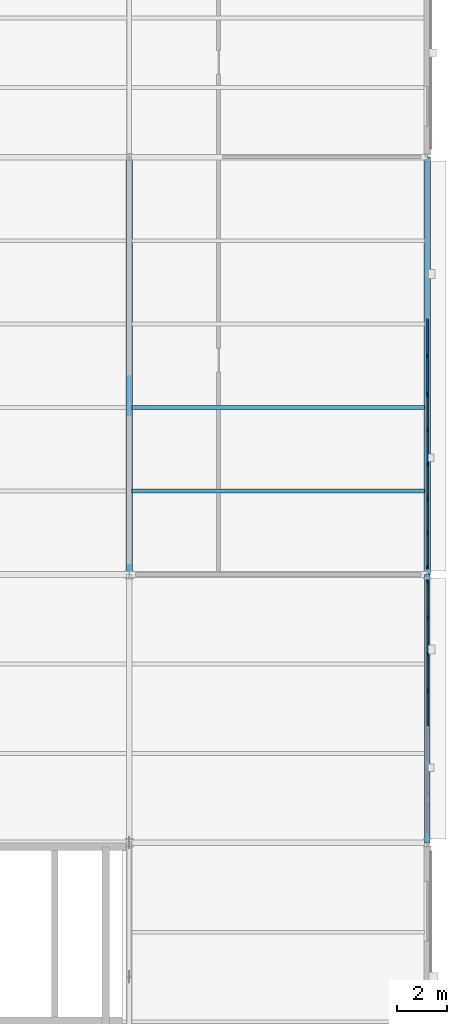
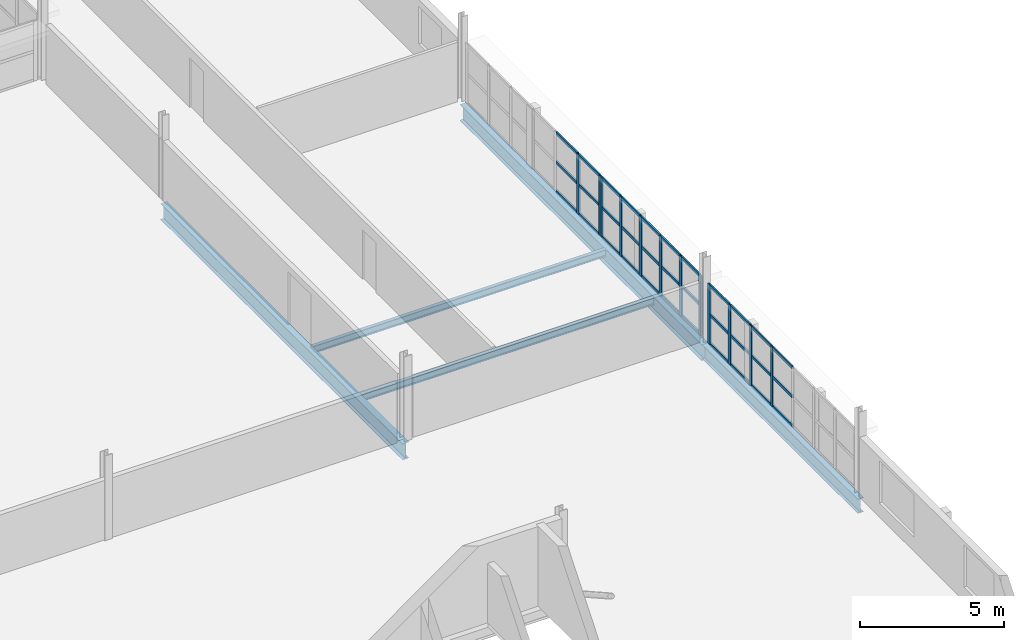
# One storey, part 49 of 101: 45 members, 5 beams, 3 elements without a shape of their own.
"""IFC4 building model written with IfcOpenShell, lengths in metres."""

import ifcopenshell
import ifcopenshell.guid

model = None  # the IFC model being written
_history = None  # IfcOwnerHistory: only IFC2X3 demands one
_inside = {}  # id of a spatial element -> (the spatial element, [elements in it])
_under = {}  # id of a project, library or spatial element -> (it, [spatial elements below it])
_declared = {}  # id of a project -> (the project, [libraries it declares])
_typed = {}  # id of a type object -> (the type object, [elements of that type])
_made_of = {}  # id of a material, layer set ... -> (it, [elements and type objects made of it])


def new_model(schema):
    """Start an empty IFC model of exactly this schema.

    Asked for "IFC4X3", IfcOpenShell would pick the latest addendum, in which some entities
    have other attributes; the version numbers below select the first issue.
    IFC2X3 requires an IfcOwnerHistory on every rooted entity: one is made here for all.
    """
    global model, _history
    if schema == "IFC4X3":
        model = ifcopenshell.file(schema_version=(4, 3, 0, 0))
    else:
        model = ifcopenshell.file(schema=schema)
    _inside.clear()
    _under.clear()
    _declared.clear()
    _typed.clear()
    _made_of.clear()
    _history = None
    if model.schema == "IFC2X3":
        org = make("IfcOrganization", Name="unknown")
        user = make(
            "IfcPersonAndOrganization",
            ThePerson=make("IfcPerson", FamilyName="unknown"),
            TheOrganization=org,
        )
        app = make(
            "IfcApplication",
            ApplicationDeveloper=org,
            Version="unknown",
            ApplicationFullName="unknown",
            ApplicationIdentifier="unknown",
        )
        _history = make(
            "IfcOwnerHistory",
            OwningUser=user,
            OwningApplication=app,
            ChangeAction="ADDED",
            CreationDate=0,
        )
    return model


def make(cls, **values):
    """One entity of the class cls with the attributes given. An attribute that is None is left unset."""
    return model.create_entity(
        cls, **{name: value for name, value in values.items() if value is not None}
    )


def rooted(cls, **values):
    """An entity with a GlobalId (a new one), such as an element, a storey or a relation."""
    return make(cls, GlobalId=ifcopenshell.guid.new(), OwnerHistory=_history, **values)


def si_unit(unit_type, name, prefix=None):
    """IfcSIUnit, for example si_unit("LENGTHUNIT", "METRE", prefix="MILLI")."""
    return make("IfcSIUnit", UnitType=unit_type, Prefix=prefix, Name=name)


def assignment(units):
    """IfcUnitAssignment: the units of a project."""
    return None if units is None else make("IfcUnitAssignment", Units=units)


def point(xyz):
    """IfcCartesianPoint."""
    return None if xyz is None else make("IfcCartesianPoint", Coordinates=xyz)


def direction(xyz):
    """IfcDirection."""
    return None if xyz is None else make("IfcDirection", DirectionRatios=xyz)


def frame(location, z_axis=None, x_axis=None):
    """IfcAxis2Placement3D, a coordinate frame: its origin and axes. An axis left out is left unset."""
    return make(
        "IfcAxis2Placement3D",
        Location=point(location),
        Axis=direction(z_axis),
        RefDirection=direction(x_axis),
    )


def frame_2d(location, x_axis=None):
    """IfcAxis2Placement2D, a coordinate frame in the plane: its origin and x axis."""
    return make(
        "IfcAxis2Placement2D", Location=point(location), RefDirection=direction(x_axis)
    )


def origin():
    """The frame at (0, 0, 0) with its axes left unset."""
    return frame((0.0, 0.0, 0.0))


def origin_2d():
    """The frame at (0, 0) in the plane with its x axis left unset."""
    return frame_2d((0.0, 0.0))


def place(relative_to, where):
    """IfcLocalPlacement: puts the frame where relative to a parent placement (None: the world)."""
    return make(
        "IfcLocalPlacement", PlacementRelTo=relative_to, RelativePlacement=where
    )


def context(
    kind, dimensions, precision=None, world=None, true_north=None, identifier=None
):
    """IfcGeometricRepresentationContext, for example the 3D "Model" context."""
    return make(
        "IfcGeometricRepresentationContext",
        ContextIdentifier=identifier,
        ContextType=kind,
        CoordinateSpaceDimension=dimensions,
        Precision=precision,
        WorldCoordinateSystem=world,
        TrueNorth=true_north,
    )


def subcontext(parent, identifier, kind, view, scale=None):
    """IfcGeometricRepresentationSubContext, for example "Body" below "Model"."""
    return make(
        "IfcGeometricRepresentationSubContext",
        ContextIdentifier=identifier,
        ContextType=kind,
        ParentContext=parent,
        TargetScale=scale,
        TargetView=view,
    )


def project(units=None, contexts=None):
    """IfcProject with its units and contexts."""
    return rooted(
        "IfcProject",
        Name="project",
        RepresentationContexts=contexts,
        UnitsInContext=assignment(units),
    )


def spatial(cls, under=None, at=None, **own):
    """A site, building, storey or space (cls), placed at a placement, below another one or the project."""
    s = rooted(cls, ObjectPlacement=at, **own)
    if under is not None:
        _under.setdefault(under.id(), (under, []))[1].append(s)
    return s


def profile(cls, at=None, kind="AREA", **sizes):
    """A parametric profile (cls). Its sizes go by their IFC names, for example OverallWidth=200.0."""
    return make(cls, ProfileType=kind, Position=at, **sizes)


def rectangle(**sizes):
    """IfcRectangleProfileDef."""
    return profile("IfcRectangleProfileDef", **sizes)


def i_section(**sizes):
    """IfcIShapeProfileDef."""
    return profile("IfcIShapeProfileDef", **sizes)


def extrude(swept, where, along, depth):
    """IfcExtrudedAreaSolid: the profile swept, set in the frame where, extruded along a direction by depth."""
    return make(
        "IfcExtrudedAreaSolid",
        SweptArea=swept,
        Position=where,
        ExtrudedDirection=direction(along),
        Depth=depth,
    )


def shape(context_of_items, identifier, shape_type, items):
    """IfcShapeRepresentation: the items that make up one representation, for example the "Body"."""
    return make(
        "IfcShapeRepresentation",
        ContextOfItems=context_of_items,
        RepresentationIdentifier=identifier,
        RepresentationType=shape_type,
        Items=items,
    )


def material(Name=None, Category=None):
    """IfcMaterial."""
    return make("IfcMaterial", Name=Name, Category=Category)


def layer(
    of_material, thickness, ventilated=None, Name=None, Category=None, Priority=None
):
    """IfcMaterialLayer: one layer of a wall or slab, of a material (None: an air gap)."""
    return make(
        "IfcMaterialLayer",
        Material=of_material,
        LayerThickness=thickness,
        IsVentilated=ventilated,
        Name=Name,
        Category=Category,
        Priority=Priority,
    )


def layer_set(layers, Name=None):
    """IfcMaterialLayerSet."""
    return make("IfcMaterialLayerSet", MaterialLayers=layers, LayerSetName=Name)


def material_profile(
    of_material, cross_section, Name=None, Category=None, Priority=None
):
    """IfcMaterialProfile: a cross section and its material."""
    return make(
        "IfcMaterialProfile",
        Name=Name,
        Material=of_material,
        Profile=cross_section,
        Priority=Priority,
        Category=Category,
    )


def profile_set(profiles, Name=None, composite=None):
    """IfcMaterialProfileSet."""
    return make(
        "IfcMaterialProfileSet",
        Name=Name,
        MaterialProfiles=profiles,
        CompositeProfile=composite,
    )


def made_of(thing, what):
    """Note that an element or type object is made of a material, layer set ...; save() writes the relation."""
    if what is not None:
        _made_of.setdefault(what.id(), (what, []))[1].append(thing)
    return thing


def type_object(cls, material=None, **own):
    """A type object (cls), such as IfcWallType, which elements share."""
    return made_of(rooted(cls, **own), material)


def element(
    cls,
    number,
    at=None,
    inside=None,
    cuts=None,
    type_object=None,
    material=None,
    context=None,
    identifier="Body",
    shape_type=None,
    held_by="IfcProductDefinitionShape",
    body=None,
    shapes=None,
    **own,
):
    """One element of the class cls, such as IfcWall. Its Tag is "e" and its number.

    at: its placement. inside: the storey or other place that contains it. cuts: it is an
    opening in that element (IfcRelVoidsElement). A single representation is given by context,
    identifier, shape_type and body (its items); several are given by shapes. held_by: the class
    of the entity that holds the representations. save() writes the other relations.
    """
    e = rooted(cls, Tag="e%d" % number, ObjectPlacement=at, **own)
    if body is not None:
        shapes = [shape(context, identifier, shape_type, body)]
    if shapes is not None:
        e.Representation = make(held_by, Representations=shapes)
    if inside is not None:
        _inside.setdefault(inside.id(), (inside, []))[1].append(e)
    if cuts is not None:
        rooted(
            "IfcRelVoidsElement", RelatingBuildingElement=cuts, RelatedOpeningElement=e
        )
    if type_object is not None:
        _typed.setdefault(type_object.id(), (type_object, []))[1].append(e)
    return made_of(e, material)


def aggregate(whole, parts):
    """IfcRelAggregates: a whole, such as a stair, and the parts it consists of."""
    return rooted("IfcRelAggregates", RelatingObject=whole, RelatedObjects=parts)


def save(model, path):
    """Write the relations noted so far, then the file.

    IfcRelAggregates (storeys below a building ...), IfcRelContainedInSpatialStructure (elements
    in a storey), IfcRelDefinesByType, IfcRelAssociatesMaterial and IfcRelDeclares: one each for
    every whole, place, type object, material and project.
    """
    for whole, parts in _under.values():
        aggregate(whole, parts)
    for where, things in _inside.values():
        rooted(
            "IfcRelContainedInSpatialStructure",
            RelatedElements=things,
            RelatingStructure=where,
        )
    for kind, things in _typed.values():
        rooted("IfcRelDefinesByType", RelatedObjects=things, RelatingType=kind)
    for what, things in _made_of.values():
        rooted("IfcRelAssociatesMaterial", RelatedObjects=things, RelatingMaterial=what)
    for by, libraries in _declared.values():
        rooted("IfcRelDeclares", RelatingContext=by, RelatedDefinitions=libraries)
    model.write(path)


model = new_model("IFC4")

# Units and contexts
model_context = context("Model", 3, precision=1e-05, world=origin(), true_north=direction((0.0, 1.0)))
body_context = subcontext(model_context, "Body", "Model", "MODEL_VIEW")
ifc_project = project(units=[si_unit("LENGTHUNIT", "METRE"), si_unit("AREAUNIT", "SQUARE_METRE"), si_unit("VOLUMEUNIT", "CUBIC_METRE"), si_unit("PLANEANGLEUNIT", "RADIAN"), si_unit("MASSUNIT", "GRAM", prefix="KILO"), si_unit("THERMODYNAMICTEMPERATUREUNIT", "KELVIN"), si_unit("POWERUNIT", "WATT")], contexts=[model_context])

# Site, building, storey
site_placement = place(None, origin())
site = spatial("IfcSite", under=ifc_project, at=site_placement, CompositionType="ELEMENT")
building_placement = place(site_placement, origin())
building = spatial("IfcBuilding", under=site, at=building_placement, Name="Tembeka Court Mobility Hub", CompositionType="ELEMENT")
storey_placement = place(building_placement, frame((0.0, 0.0, 5.39990234375)))
storey = spatial("IfcBuildingStorey", under=building, at=storey_placement, Name="L01", CompositionType="ELEMENT", Elevation=5.39990234375)

# Beams
ifc_material_1 = material(Name="Steel S355", Category="steel")
ifc_material_profile_1 = material_profile(ifc_material_1, i_section(OverallWidth=0.25390625, OverallDepth=0.68408203125, WebThickness=0.012451171875, FlangeThickness=0.01904296875, FilletRadius=0.01513671875, at=origin_2d()), Name="UKB 686x254x140")
ifc_profile_set_1 = profile_set([ifc_material_profile_1], Name="Steel S355")
beam_type_1 = type_object("IfcBeamType", Name="BM-G01", PredefinedType="USERDEFINED", material=ifc_profile_set_1)
for number, where, z_axis, x_axis, name in (
    (1, (164.39990234375, 21.60009765625, -0.531982421875), (0.0, 1.0, 0.0), (-1.0, 0.0, 0.0), "Beam G01 (BM-L01-Y0901)"),
    (2, (176.39990234375, 21.60009765625, -0.531982421875), (0.0, 1.0, 0.0), (-1.0, 0.0, 0.0), "Beam G01 (BM-L01-Y0907)"),
):
    element("IfcBeam", number, at=place(storey_placement, frame(where, z_axis=z_axis, x_axis=x_axis)), inside=storey, type_object=beam_type_1, Name=name, ObjectType="GIRDER", PredefinedType="USERDEFINED", context=body_context, shape_type="SweptSolid", body=[
        extrude(i_section(OverallWidth=0.25390625, OverallDepth=0.68408203125, WebThickness=0.012451171875, FlangeThickness=0.01904296875, FilletRadius=0.01513671875, at=origin_2d()), origin(), (0.0, 0.0, 1.0), 16.7998046875),
    ])
ifc_material_profile_2 = material_profile(ifc_material_1, i_section(OverallWidth=0.22900390625, OverallDepth=0.612060546875, WebThickness=0.011962890625, FlangeThickness=0.01953125, FilletRadius=0.0126953125, at=origin_2d()), Name="UKB 610x229x125")
ifc_profile_set_2 = profile_set([ifc_material_profile_2], Name="Steel S355")
beam_type_2 = type_object("IfcBeamType", Name="BM-G02", PredefinedType="USERDEFINED", material=ifc_profile_set_2)
beam_placement = place(storey_placement, frame((176.39990234375, 10.800048828125, -0.495849609375), z_axis=(0.0, 1.0, 0.0), x_axis=(-1.0, 0.0, 0.0)))
element("IfcBeam", 3, at=beam_placement, inside=storey, type_object=beam_type_2, Name="Beam G02 (BM-L01-Y0906)", ObjectType="GIRDER", PredefinedType="USERDEFINED", context=body_context, shape_type="SweptSolid", body=[
    extrude(i_section(OverallWidth=0.22900390625, OverallDepth=0.612060546875, WebThickness=0.011962890625, FlangeThickness=0.01953125, FilletRadius=0.0126953125, at=origin_2d()), origin(), (0.0, 0.0, 1.0), 10.800048828125),
])
ifc_material_profile_3 = material_profile(ifc_material_1, i_section(OverallWidth=0.14990234375, OverallDepth=0.300048828125, WebThickness=0.007080078125, FlangeThickness=0.0107421875, FilletRadius=0.014892578125, at=origin_2d()), Name="IPE 300")
ifc_profile_set_3 = profile_set([ifc_material_profile_3], Name="Steel S355")
beam_type_3 = type_object("IfcBeamType", Name="BM-J04", PredefinedType="JOIST", material=ifc_profile_set_3)
for number, where, z_axis, x_axis, name in (
    (4, (164.52197265625, 24.9599609375, -0.33984375), (1.0, 0.0, 0.0), (0.0, 1.0, 0.0), "Beam J04 (JST-L01-1160)"),
    (5, (164.52197265625, 28.320068359375, -0.33984375), (1.0, 0.0, 0.0), (0.0, 1.0, 0.0), "Beam J04 (JST-L01-1161)"),
):
    element("IfcBeam", number, at=place(storey_placement, frame(where, z_axis=z_axis, x_axis=x_axis)), inside=storey, type_object=beam_type_3, Name=name, PredefinedType="JOIST", context=body_context, shape_type="SweptSolid", body=[
        extrude(i_section(OverallWidth=0.14990234375, OverallDepth=0.300048828125, WebThickness=0.007080078125, FlangeThickness=0.0107421875, FilletRadius=0.014892578125, at=origin_2d()), origin(), (0.0, 0.0, 1.0), 11.756103515625),
    ])

# Curtain wall, members
ifc_material_2 = material(Name="Anodised aluminium 6063-T6", Category="aluminium")
ifc_layer_1 = layer(ifc_material_2, 0.159912109375)
ifc_layer_set_1 = layer_set([ifc_layer_1], Name="Anodised aluminium 6063-T6")
curtain_wall_type_1 = type_object("IfcCurtainWallType", Name="CW-SYS42", PredefinedType="USERDEFINED", material=ifc_layer_set_1)
curtain_wall_1_placement = place(storey_placement, origin())
curtain_wall_1 = element("IfcCurtainWall", 6, at=curtain_wall_1_placement, inside=storey, type_object=curtain_wall_type_1, Name="Unitised curtain wall CW42 (CW-L01-110)", ObjectType="UNITISED GLAZING", PredefinedType="USERDEFINED")
ifc_material_profile_4 = material_profile(ifc_material_2, rectangle(XDim=0.06494140625, YDim=0.159912109375, at=origin_2d()), Name="ALU-MUL 65x160")
ifc_profile_set_4 = profile_set([ifc_material_profile_4], Name="Anodised aluminium 6063-T6")
member_type_1 = type_object("IfcMemberType", Name="CW-MUL01", PredefinedType="MULLION", material=ifc_profile_set_4)
member_1_placement = place(storey_placement, frame((176.39990234375, 16.931396484375, 0.0), z_axis=(0.0, 0.0, 1.0), x_axis=(-1.0, 0.0, 0.0)))
member_1 = element("IfcMember", 7, at=member_1_placement, type_object=member_type_1, Name="CW42 mullion 5", PredefinedType="MULLION", context=body_context, shape_type="SweptSolid", body=[
    extrude(rectangle(XDim=0.06494140625, YDim=0.159912109375, at=origin_2d()), origin(), (0.0, 0.0, 1.0), 2.53515625),
])
member_2_placement = place(storey_placement, frame((176.39990234375, 18.394287109375, 0.0), z_axis=(0.0, 0.0, 1.0), x_axis=(-1.0, 0.0, 0.0)))
member_2 = element("IfcMember", 8, at=member_2_placement, type_object=member_type_1, Name="CW42 mullion 6", PredefinedType="MULLION", context=body_context, shape_type="SweptSolid", body=[
    extrude(rectangle(XDim=0.06494140625, YDim=0.159912109375, at=origin_2d()), origin(), (0.0, 0.0, 1.0), 2.53515625),
])
member_3_placement = place(storey_placement, frame((176.39990234375, 19.857177734375, 0.0), z_axis=(0.0, 0.0, 1.0), x_axis=(-1.0, 0.0, 0.0)))
member_3 = element("IfcMember", 9, at=member_3_placement, type_object=member_type_1, Name="CW42 mullion 7", PredefinedType="MULLION", context=body_context, shape_type="SweptSolid", body=[
    extrude(rectangle(XDim=0.06494140625, YDim=0.159912109375, at=origin_2d()), origin(), (0.0, 0.0, 1.0), 2.53515625),
])
member_4_placement = place(storey_placement, frame((176.39990234375, 21.28759765625, 0.0), z_axis=(0.0, 0.0, 1.0), x_axis=(-1.0, 0.0, 0.0)))
member_4 = element("IfcMember", 10, at=member_4_placement, type_object=member_type_1, Name="CW42 mullion 8", PredefinedType="MULLION", context=body_context, shape_type="SweptSolid", body=[
    extrude(rectangle(XDim=0.06494140625, YDim=0.159912109375, at=origin_2d()), origin(), (0.0, 0.0, 1.0), 2.53515625),
])

ifc_layer_2 = layer(ifc_material_2, 0.159912109375)
ifc_layer_set_2 = layer_set([ifc_layer_2], Name="Anodised aluminium 6063-T6")
curtain_wall_type_2 = type_object("IfcCurtainWallType", Name="CW-SYS43", PredefinedType="USERDEFINED", material=ifc_layer_set_2)
curtain_wall_2_placement = place(storey_placement, origin())
curtain_wall_2 = element("IfcCurtainWall", 11, at=curtain_wall_2_placement, inside=storey, type_object=curtain_wall_type_2, Name="Unitised curtain wall CW43 (CW-L01-111)", ObjectType="UNITISED GLAZING", PredefinedType="USERDEFINED")
member_5_placement = place(storey_placement, frame((176.39990234375, 21.91259765625, 0.0), z_axis=(0.0, 0.0, 1.0), x_axis=(-1.0, 0.0, 0.0)))
member_5 = element("IfcMember", 12, at=member_5_placement, type_object=member_type_1, Name="CW43 mullion 1", PredefinedType="MULLION", context=body_context, shape_type="SweptSolid", body=[
    extrude(rectangle(XDim=0.06494140625, YDim=0.159912109375, at=origin_2d()), origin(), (0.0, 0.0, 1.0), 2.53515625),
])
member_6_placement = place(storey_placement, frame((176.39990234375, 23.264892578125, 0.0), z_axis=(0.0, 0.0, 1.0), x_axis=(-1.0, 0.0, 0.0)))
member_6 = element("IfcMember", 13, at=member_6_placement, type_object=member_type_1, Name="CW43 mullion 2", PredefinedType="MULLION", context=body_context, shape_type="SweptSolid", body=[
    extrude(rectangle(XDim=0.06494140625, YDim=0.159912109375, at=origin_2d()), origin(), (0.0, 0.0, 1.0), 2.53515625),
])
member_7_placement = place(storey_placement, frame((176.39990234375, 24.649658203125, 0.0), z_axis=(0.0, 0.0, 1.0), x_axis=(-1.0, 0.0, 0.0)))
member_7 = element("IfcMember", 14, at=member_7_placement, type_object=member_type_1, Name="CW43 mullion 3", PredefinedType="MULLION", context=body_context, shape_type="SweptSolid", body=[
    extrude(rectangle(XDim=0.06494140625, YDim=0.159912109375, at=origin_2d()), origin(), (0.0, 0.0, 1.0), 2.53515625),
])
member_8_placement = place(storey_placement, frame((176.39990234375, 26.034423828125, 0.0), z_axis=(0.0, 0.0, 1.0), x_axis=(-1.0, 0.0, 0.0)))
member_8 = element("IfcMember", 15, at=member_8_placement, type_object=member_type_1, Name="CW43 mullion 4", PredefinedType="MULLION", context=body_context, shape_type="SweptSolid", body=[
    extrude(rectangle(XDim=0.06494140625, YDim=0.159912109375, at=origin_2d()), origin(), (0.0, 0.0, 1.0), 2.53515625),
])
member_9_placement = place(storey_placement, frame((176.39990234375, 27.419189453125, 0.0), z_axis=(0.0, 0.0, 1.0), x_axis=(-1.0, 0.0, 0.0)))
member_9 = element("IfcMember", 16, at=member_9_placement, type_object=member_type_1, Name="CW43 mullion 5", PredefinedType="MULLION", context=body_context, shape_type="SweptSolid", body=[
    extrude(rectangle(XDim=0.06494140625, YDim=0.159912109375, at=origin_2d()), origin(), (0.0, 0.0, 1.0), 2.53515625),
])
member_10_placement = place(storey_placement, frame((176.39990234375, 28.771484375, 0.0), z_axis=(0.0, 0.0, 1.0), x_axis=(-1.0, 0.0, 0.0)))
member_10 = element("IfcMember", 17, at=member_10_placement, type_object=member_type_1, Name="CW43 mullion 6", PredefinedType="MULLION", context=body_context, shape_type="SweptSolid", body=[
    extrude(rectangle(XDim=0.06494140625, YDim=0.159912109375, at=origin_2d()), origin(), (0.0, 0.0, 1.0), 2.53515625),
])

ifc_layer_3 = layer(ifc_material_2, 0.159912109375)
ifc_layer_set_3 = layer_set([ifc_layer_3], Name="Anodised aluminium 6063-T6")
curtain_wall_type_3 = type_object("IfcCurtainWallType", Name="CW-SYS44", PredefinedType="USERDEFINED", material=ifc_layer_set_3)
curtain_wall_3_placement = place(storey_placement, origin())
curtain_wall_3 = element("IfcCurtainWall", 18, at=curtain_wall_3_placement, inside=storey, type_object=curtain_wall_type_3, Name="Unitised curtain wall CW44 (CW-L01-112)", ObjectType="UNITISED GLAZING", PredefinedType="USERDEFINED")
member_11_placement = place(storey_placement, frame((176.39990234375, 28.87646484375, 0.0), z_axis=(0.0, 0.0, 1.0), x_axis=(-1.0, 0.0, 0.0)))
member_11 = element("IfcMember", 19, at=member_11_placement, type_object=member_type_1, Name="CW44 mullion 1", PredefinedType="MULLION", context=body_context, shape_type="SweptSolid", body=[
    extrude(rectangle(XDim=0.06494140625, YDim=0.159912109375, at=origin_2d()), origin(), (0.0, 0.0, 1.0), 2.53515625),
])
member_12_placement = place(storey_placement, frame((176.39990234375, 30.389892578125, 0.0), z_axis=(0.0, 0.0, 1.0), x_axis=(-1.0, 0.0, 0.0)))
member_12 = element("IfcMember", 20, at=member_12_placement, type_object=member_type_1, Name="CW44 mullion 2", PredefinedType="MULLION", context=body_context, shape_type="SweptSolid", body=[
    extrude(rectangle(XDim=0.06494140625, YDim=0.159912109375, at=origin_2d()), origin(), (0.0, 0.0, 1.0), 2.53515625),
])

# Member
ifc_material_profile_5 = material_profile(ifc_material_2, rectangle(XDim=0.06494140625, YDim=0.1201171875, at=origin_2d()), Name="ALU-TRN 65x120")
ifc_profile_set_5 = profile_set([ifc_material_profile_5], Name="Anodised aluminium 6063-T6")
member_type_2 = type_object("IfcMemberType", Name="CW-TRN01", PredefinedType="USERDEFINED", material=ifc_profile_set_5)
member_13_placement = place(storey_placement, frame((176.39990234375, 15.5009765625, 0.03271484375), z_axis=(0.0, 1.0, 0.0), x_axis=(-1.0, 0.0, 0.0)))
member_13 = element("IfcMember", 21, at=member_13_placement, type_object=member_type_2, Name="CW42 transom 4.1", ObjectType="TRANSOM", PredefinedType="USERDEFINED", context=body_context, shape_type="SweptSolid", body=[
    extrude(rectangle(XDim=0.06494140625, YDim=0.1201171875, at=origin_2d()), origin(), (0.0, 0.0, 1.0), 1.39794921875),
])

member_14_placement = place(storey_placement, frame((176.39990234375, 15.5009765625, 1.267578125), z_axis=(0.0, 1.0, 0.0), x_axis=(-1.0, 0.0, 0.0)))
member_14 = element("IfcMember", 22, at=member_14_placement, type_object=member_type_2, Name="CW42 transom 4.2", ObjectType="TRANSOM", PredefinedType="USERDEFINED", context=body_context, shape_type="SweptSolid", body=[
    extrude(rectangle(XDim=0.06494140625, YDim=0.1201171875, at=origin_2d()), origin(), (0.0, 0.0, 1.0), 1.39794921875),
])

member_15_placement = place(storey_placement, frame((176.39990234375, 15.5009765625, 2.502685546875), z_axis=(0.0, 1.0, 0.0), x_axis=(-1.0, 0.0, 0.0)))
member_15 = element("IfcMember", 23, at=member_15_placement, type_object=member_type_2, Name="CW42 transom 4.3", ObjectType="TRANSOM", PredefinedType="USERDEFINED", context=body_context, shape_type="SweptSolid", body=[
    extrude(rectangle(XDim=0.06494140625, YDim=0.1201171875, at=origin_2d()), origin(), (0.0, 0.0, 1.0), 1.39794921875),
])

member_16_placement = place(storey_placement, frame((176.39990234375, 16.9638671875, 0.03271484375), z_axis=(0.0, 1.0, 0.0), x_axis=(-1.0, 0.0, 0.0)))
member_16 = element("IfcMember", 24, at=member_16_placement, type_object=member_type_2, Name="CW42 transom 5.1", ObjectType="TRANSOM", PredefinedType="USERDEFINED", context=body_context, shape_type="SweptSolid", body=[
    extrude(rectangle(XDim=0.06494140625, YDim=0.1201171875, at=origin_2d()), origin(), (0.0, 0.0, 1.0), 1.39794921875),
])

member_17_placement = place(storey_placement, frame((176.39990234375, 16.9638671875, 1.267578125), z_axis=(0.0, 1.0, 0.0), x_axis=(-1.0, 0.0, 0.0)))
member_17 = element("IfcMember", 25, at=member_17_placement, type_object=member_type_2, Name="CW42 transom 5.2", ObjectType="TRANSOM", PredefinedType="USERDEFINED", context=body_context, shape_type="SweptSolid", body=[
    extrude(rectangle(XDim=0.06494140625, YDim=0.1201171875, at=origin_2d()), origin(), (0.0, 0.0, 1.0), 1.39794921875),
])

member_18_placement = place(storey_placement, frame((176.39990234375, 16.9638671875, 2.502685546875), z_axis=(0.0, 1.0, 0.0), x_axis=(-1.0, 0.0, 0.0)))
member_18 = element("IfcMember", 26, at=member_18_placement, type_object=member_type_2, Name="CW42 transom 5.3", ObjectType="TRANSOM", PredefinedType="USERDEFINED", context=body_context, shape_type="SweptSolid", body=[
    extrude(rectangle(XDim=0.06494140625, YDim=0.1201171875, at=origin_2d()), origin(), (0.0, 0.0, 1.0), 1.39794921875),
])

member_19_placement = place(storey_placement, frame((176.39990234375, 18.4267578125, 0.03271484375), z_axis=(0.0, 1.0, 0.0), x_axis=(-1.0, 0.0, 0.0)))
member_19 = element("IfcMember", 27, at=member_19_placement, type_object=member_type_2, Name="CW42 transom 6.1", ObjectType="TRANSOM", PredefinedType="USERDEFINED", context=body_context, shape_type="SweptSolid", body=[
    extrude(rectangle(XDim=0.06494140625, YDim=0.1201171875, at=origin_2d()), origin(), (0.0, 0.0, 1.0), 1.39794921875),
])

member_20_placement = place(storey_placement, frame((176.39990234375, 18.4267578125, 1.267578125), z_axis=(0.0, 1.0, 0.0), x_axis=(-1.0, 0.0, 0.0)))
member_20 = element("IfcMember", 28, at=member_20_placement, type_object=member_type_2, Name="CW42 transom 6.2", ObjectType="TRANSOM", PredefinedType="USERDEFINED", context=body_context, shape_type="SweptSolid", body=[
    extrude(rectangle(XDim=0.06494140625, YDim=0.1201171875, at=origin_2d()), origin(), (0.0, 0.0, 1.0), 1.39794921875),
])

member_21_placement = place(storey_placement, frame((176.39990234375, 18.4267578125, 2.502685546875), z_axis=(0.0, 1.0, 0.0), x_axis=(-1.0, 0.0, 0.0)))
member_21 = element("IfcMember", 29, at=member_21_placement, type_object=member_type_2, Name="CW42 transom 6.3", ObjectType="TRANSOM", PredefinedType="USERDEFINED", context=body_context, shape_type="SweptSolid", body=[
    extrude(rectangle(XDim=0.06494140625, YDim=0.1201171875, at=origin_2d()), origin(), (0.0, 0.0, 1.0), 1.39794921875),
])

member_22_placement = place(storey_placement, frame((176.39990234375, 19.8896484375, 0.03271484375), z_axis=(0.0, 1.0, 0.0), x_axis=(-1.0, 0.0, 0.0)))
member_22 = element("IfcMember", 30, at=member_22_placement, type_object=member_type_2, Name="CW42 transom 7.1", ObjectType="TRANSOM", PredefinedType="USERDEFINED", context=body_context, shape_type="SweptSolid", body=[
    extrude(rectangle(XDim=0.06494140625, YDim=0.1201171875, at=origin_2d()), origin(), (0.0, 0.0, 1.0), 1.365234375),
])

member_23_placement = place(storey_placement, frame((176.39990234375, 19.8896484375, 1.267578125), z_axis=(0.0, 1.0, 0.0), x_axis=(-1.0, 0.0, 0.0)))
member_23 = element("IfcMember", 31, at=member_23_placement, type_object=member_type_2, Name="CW42 transom 7.2", ObjectType="TRANSOM", PredefinedType="USERDEFINED", context=body_context, shape_type="SweptSolid", body=[
    extrude(rectangle(XDim=0.06494140625, YDim=0.1201171875, at=origin_2d()), origin(), (0.0, 0.0, 1.0), 1.365234375),
])

member_24_placement = place(storey_placement, frame((176.39990234375, 19.8896484375, 2.502685546875), z_axis=(0.0, 1.0, 0.0), x_axis=(-1.0, 0.0, 0.0)))
member_24 = element("IfcMember", 32, at=member_24_placement, type_object=member_type_2, Name="CW42 transom 7.3", ObjectType="TRANSOM", PredefinedType="USERDEFINED", context=body_context, shape_type="SweptSolid", body=[
    extrude(rectangle(XDim=0.06494140625, YDim=0.1201171875, at=origin_2d()), origin(), (0.0, 0.0, 1.0), 1.365234375),
])

aggregate(curtain_wall_1, [member_1, member_2, member_3, member_4, member_13, member_14, member_15, member_16, member_17, member_18, member_19, member_20, member_21, member_22, member_23, member_24])

member_25_placement = place(storey_placement, frame((176.39990234375, 21.945068359375, 0.03271484375), z_axis=(0.0, 1.0, 0.0), x_axis=(-1.0, 0.0, 0.0)))
member_25 = element("IfcMember", 33, at=member_25_placement, type_object=member_type_2, Name="CW43 transom 1.1", ObjectType="TRANSOM", PredefinedType="USERDEFINED", context=body_context, shape_type="SweptSolid", body=[
    extrude(rectangle(XDim=0.06494140625, YDim=0.1201171875, at=origin_2d()), origin(), (0.0, 0.0, 1.0), 1.287353515625),
])

member_26_placement = place(storey_placement, frame((176.39990234375, 21.945068359375, 1.267578125), z_axis=(0.0, 1.0, 0.0), x_axis=(-1.0, 0.0, 0.0)))
member_26 = element("IfcMember", 34, at=member_26_placement, type_object=member_type_2, Name="CW43 transom 1.2", ObjectType="TRANSOM", PredefinedType="USERDEFINED", context=body_context, shape_type="SweptSolid", body=[
    extrude(rectangle(XDim=0.06494140625, YDim=0.1201171875, at=origin_2d()), origin(), (0.0, 0.0, 1.0), 1.287353515625),
])

member_27_placement = place(storey_placement, frame((176.39990234375, 21.945068359375, 2.502685546875), z_axis=(0.0, 1.0, 0.0), x_axis=(-1.0, 0.0, 0.0)))
member_27 = element("IfcMember", 35, at=member_27_placement, type_object=member_type_2, Name="CW43 transom 1.3", ObjectType="TRANSOM", PredefinedType="USERDEFINED", context=body_context, shape_type="SweptSolid", body=[
    extrude(rectangle(XDim=0.06494140625, YDim=0.1201171875, at=origin_2d()), origin(), (0.0, 0.0, 1.0), 1.287353515625),
])

member_28_placement = place(storey_placement, frame((176.39990234375, 23.29736328125, 0.03271484375), z_axis=(0.0, 1.0, 0.0), x_axis=(-1.0, 0.0, 0.0)))
member_28 = element("IfcMember", 36, at=member_28_placement, type_object=member_type_2, Name="CW43 transom 2.1", ObjectType="TRANSOM", PredefinedType="USERDEFINED", context=body_context, shape_type="SweptSolid", body=[
    extrude(rectangle(XDim=0.06494140625, YDim=0.1201171875, at=origin_2d()), origin(), (0.0, 0.0, 1.0), 1.31982421875),
])

member_29_placement = place(storey_placement, frame((176.39990234375, 23.29736328125, 1.267578125), z_axis=(0.0, 1.0, 0.0), x_axis=(-1.0, 0.0, 0.0)))
member_29 = element("IfcMember", 37, at=member_29_placement, type_object=member_type_2, Name="CW43 transom 2.2", ObjectType="TRANSOM", PredefinedType="USERDEFINED", context=body_context, shape_type="SweptSolid", body=[
    extrude(rectangle(XDim=0.06494140625, YDim=0.1201171875, at=origin_2d()), origin(), (0.0, 0.0, 1.0), 1.31982421875),
])

member_30_placement = place(storey_placement, frame((176.39990234375, 23.29736328125, 2.502685546875), z_axis=(0.0, 1.0, 0.0), x_axis=(-1.0, 0.0, 0.0)))
member_30 = element("IfcMember", 38, at=member_30_placement, type_object=member_type_2, Name="CW43 transom 2.3", ObjectType="TRANSOM", PredefinedType="USERDEFINED", context=body_context, shape_type="SweptSolid", body=[
    extrude(rectangle(XDim=0.06494140625, YDim=0.1201171875, at=origin_2d()), origin(), (0.0, 0.0, 1.0), 1.31982421875),
])

member_31_placement = place(storey_placement, frame((176.39990234375, 24.68212890625, 0.03271484375), z_axis=(0.0, 1.0, 0.0), x_axis=(-1.0, 0.0, 0.0)))
member_31 = element("IfcMember", 39, at=member_31_placement, type_object=member_type_2, Name="CW43 transom 3.1", ObjectType="TRANSOM", PredefinedType="USERDEFINED", context=body_context, shape_type="SweptSolid", body=[
    extrude(rectangle(XDim=0.06494140625, YDim=0.1201171875, at=origin_2d()), origin(), (0.0, 0.0, 1.0), 1.31982421875),
])

member_32_placement = place(storey_placement, frame((176.39990234375, 24.68212890625, 1.267578125), z_axis=(0.0, 1.0, 0.0), x_axis=(-1.0, 0.0, 0.0)))
member_32 = element("IfcMember", 40, at=member_32_placement, type_object=member_type_2, Name="CW43 transom 3.2", ObjectType="TRANSOM", PredefinedType="USERDEFINED", context=body_context, shape_type="SweptSolid", body=[
    extrude(rectangle(XDim=0.06494140625, YDim=0.1201171875, at=origin_2d()), origin(), (0.0, 0.0, 1.0), 1.31982421875),
])

member_33_placement = place(storey_placement, frame((176.39990234375, 24.68212890625, 2.502685546875), z_axis=(0.0, 1.0, 0.0), x_axis=(-1.0, 0.0, 0.0)))
member_33 = element("IfcMember", 41, at=member_33_placement, type_object=member_type_2, Name="CW43 transom 3.3", ObjectType="TRANSOM", PredefinedType="USERDEFINED", context=body_context, shape_type="SweptSolid", body=[
    extrude(rectangle(XDim=0.06494140625, YDim=0.1201171875, at=origin_2d()), origin(), (0.0, 0.0, 1.0), 1.31982421875),
])

member_34_placement = place(storey_placement, frame((176.39990234375, 26.06689453125, 0.03271484375), z_axis=(0.0, 1.0, 0.0), x_axis=(-1.0, 0.0, 0.0)))
member_34 = element("IfcMember", 42, at=member_34_placement, type_object=member_type_2, Name="CW43 transom 4.1", ObjectType="TRANSOM", PredefinedType="USERDEFINED", context=body_context, shape_type="SweptSolid", body=[
    extrude(rectangle(XDim=0.06494140625, YDim=0.1201171875, at=origin_2d()), origin(), (0.0, 0.0, 1.0), 1.31982421875),
])

member_35_placement = place(storey_placement, frame((176.39990234375, 26.06689453125, 1.267578125), z_axis=(0.0, 1.0, 0.0), x_axis=(-1.0, 0.0, 0.0)))
member_35 = element("IfcMember", 43, at=member_35_placement, type_object=member_type_2, Name="CW43 transom 4.2", ObjectType="TRANSOM", PredefinedType="USERDEFINED", context=body_context, shape_type="SweptSolid", body=[
    extrude(rectangle(XDim=0.06494140625, YDim=0.1201171875, at=origin_2d()), origin(), (0.0, 0.0, 1.0), 1.31982421875),
])

member_36_placement = place(storey_placement, frame((176.39990234375, 26.06689453125, 2.502685546875), z_axis=(0.0, 1.0, 0.0), x_axis=(-1.0, 0.0, 0.0)))
member_36 = element("IfcMember", 44, at=member_36_placement, type_object=member_type_2, Name="CW43 transom 4.3", ObjectType="TRANSOM", PredefinedType="USERDEFINED", context=body_context, shape_type="SweptSolid", body=[
    extrude(rectangle(XDim=0.06494140625, YDim=0.1201171875, at=origin_2d()), origin(), (0.0, 0.0, 1.0), 1.31982421875),
])

member_37_placement = place(storey_placement, frame((176.39990234375, 27.45166015625, 0.03271484375), z_axis=(0.0, 1.0, 0.0), x_axis=(-1.0, 0.0, 0.0)))
member_37 = element("IfcMember", 45, at=member_37_placement, type_object=member_type_2, Name="CW43 transom 5.1", ObjectType="TRANSOM", PredefinedType="USERDEFINED", context=body_context, shape_type="SweptSolid", body=[
    extrude(rectangle(XDim=0.06494140625, YDim=0.1201171875, at=origin_2d()), origin(), (0.0, 0.0, 1.0), 1.287353515625),
])

member_38_placement = place(storey_placement, frame((176.39990234375, 27.45166015625, 1.267578125), z_axis=(0.0, 1.0, 0.0), x_axis=(-1.0, 0.0, 0.0)))
member_38 = element("IfcMember", 46, at=member_38_placement, type_object=member_type_2, Name="CW43 transom 5.2", ObjectType="TRANSOM", PredefinedType="USERDEFINED", context=body_context, shape_type="SweptSolid", body=[
    extrude(rectangle(XDim=0.06494140625, YDim=0.1201171875, at=origin_2d()), origin(), (0.0, 0.0, 1.0), 1.287353515625),
])

member_39_placement = place(storey_placement, frame((176.39990234375, 27.45166015625, 2.502685546875), z_axis=(0.0, 1.0, 0.0), x_axis=(-1.0, 0.0, 0.0)))
member_39 = element("IfcMember", 47, at=member_39_placement, type_object=member_type_2, Name="CW43 transom 5.3", ObjectType="TRANSOM", PredefinedType="USERDEFINED", context=body_context, shape_type="SweptSolid", body=[
    extrude(rectangle(XDim=0.06494140625, YDim=0.1201171875, at=origin_2d()), origin(), (0.0, 0.0, 1.0), 1.287353515625),
])

aggregate(curtain_wall_2, [member_5, member_6, member_7, member_8, member_9, member_10, member_25, member_26, member_27, member_28, member_29, member_30, member_31, member_32, member_33, member_34, member_35, member_36, member_37, member_38, member_39])

member_40_placement = place(storey_placement, frame((176.39990234375, 28.908935546875, 0.03271484375), z_axis=(0.0, 1.0, 0.0), x_axis=(-1.0, 0.0, 0.0)))
member_40 = element("IfcMember", 48, at=member_40_placement, type_object=member_type_2, Name="CW44 transom 1.1", ObjectType="TRANSOM", PredefinedType="USERDEFINED", context=body_context, shape_type="SweptSolid", body=[
    extrude(rectangle(XDim=0.06494140625, YDim=0.1201171875, at=origin_2d()), origin(), (0.0, 0.0, 1.0), 1.448486328125),
])

member_41_placement = place(storey_placement, frame((176.39990234375, 28.908935546875, 1.267578125), z_axis=(0.0, 1.0, 0.0), x_axis=(-1.0, 0.0, 0.0)))
member_41 = element("IfcMember", 49, at=member_41_placement, type_object=member_type_2, Name="CW44 transom 1.2", ObjectType="TRANSOM", PredefinedType="USERDEFINED", context=body_context, shape_type="SweptSolid", body=[
    extrude(rectangle(XDim=0.06494140625, YDim=0.1201171875, at=origin_2d()), origin(), (0.0, 0.0, 1.0), 1.448486328125),
])

member_42_placement = place(storey_placement, frame((176.39990234375, 28.908935546875, 2.502685546875), z_axis=(0.0, 1.0, 0.0), x_axis=(-1.0, 0.0, 0.0)))
member_42 = element("IfcMember", 50, at=member_42_placement, type_object=member_type_2, Name="CW44 transom 1.3", ObjectType="TRANSOM", PredefinedType="USERDEFINED", context=body_context, shape_type="SweptSolid", body=[
    extrude(rectangle(XDim=0.06494140625, YDim=0.1201171875, at=origin_2d()), origin(), (0.0, 0.0, 1.0), 1.448486328125),
])

member_43_placement = place(storey_placement, frame((176.39990234375, 30.422607421875, 0.03271484375), z_axis=(0.0, 1.0, 0.0), x_axis=(-1.0, 0.0, 0.0)))
member_43 = element("IfcMember", 51, at=member_43_placement, type_object=member_type_2, Name="CW44 transom 2.1", ObjectType="TRANSOM", PredefinedType="USERDEFINED", context=body_context, shape_type="SweptSolid", body=[
    extrude(rectangle(XDim=0.06494140625, YDim=0.1201171875, at=origin_2d()), origin(), (0.0, 0.0, 1.0), 1.48095703125),
])

member_44_placement = place(storey_placement, frame((176.39990234375, 30.422607421875, 1.267578125), z_axis=(0.0, 1.0, 0.0), x_axis=(-1.0, 0.0, 0.0)))
member_44 = element("IfcMember", 52, at=member_44_placement, type_object=member_type_2, Name="CW44 transom 2.2", ObjectType="TRANSOM", PredefinedType="USERDEFINED", context=body_context, shape_type="SweptSolid", body=[
    extrude(rectangle(XDim=0.06494140625, YDim=0.1201171875, at=origin_2d()), origin(), (0.0, 0.0, 1.0), 1.48095703125),
])

member_45_placement = place(storey_placement, frame((176.39990234375, 30.422607421875, 2.502685546875), z_axis=(0.0, 1.0, 0.0), x_axis=(-1.0, 0.0, 0.0)))
member_45 = element("IfcMember", 53, at=member_45_placement, type_object=member_type_2, Name="CW44 transom 2.3", ObjectType="TRANSOM", PredefinedType="USERDEFINED", context=body_context, shape_type="SweptSolid", body=[
    extrude(rectangle(XDim=0.06494140625, YDim=0.1201171875, at=origin_2d()), origin(), (0.0, 0.0, 1.0), 1.48095703125),
])

aggregate(curtain_wall_3, [member_11, member_12, member_40, member_41, member_42, member_43, member_44, member_45])

save(model, "model.ifc")
